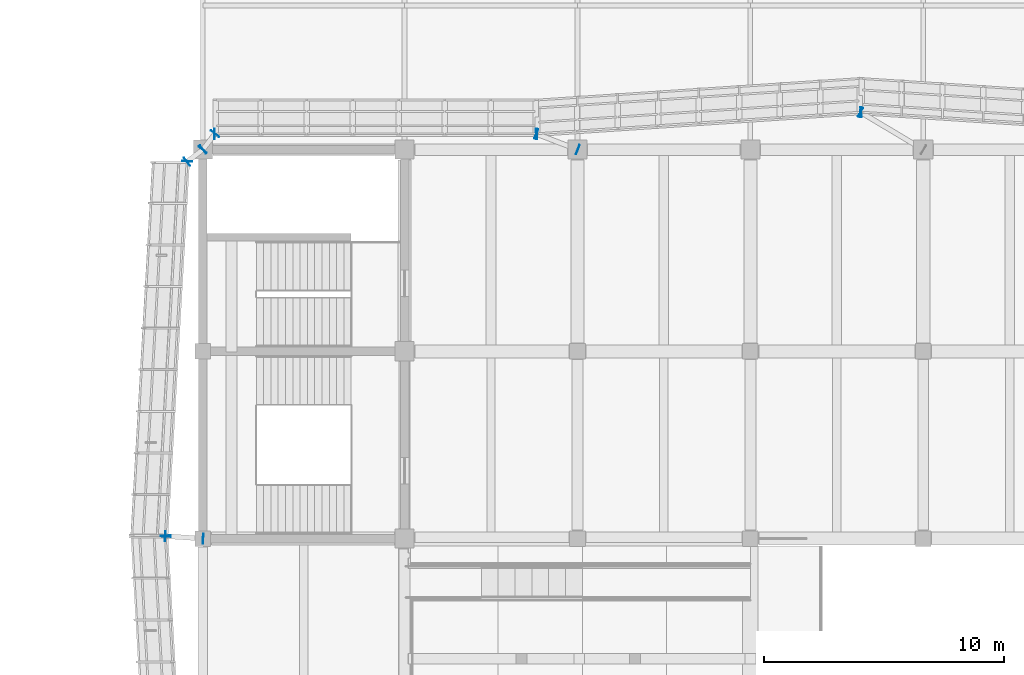
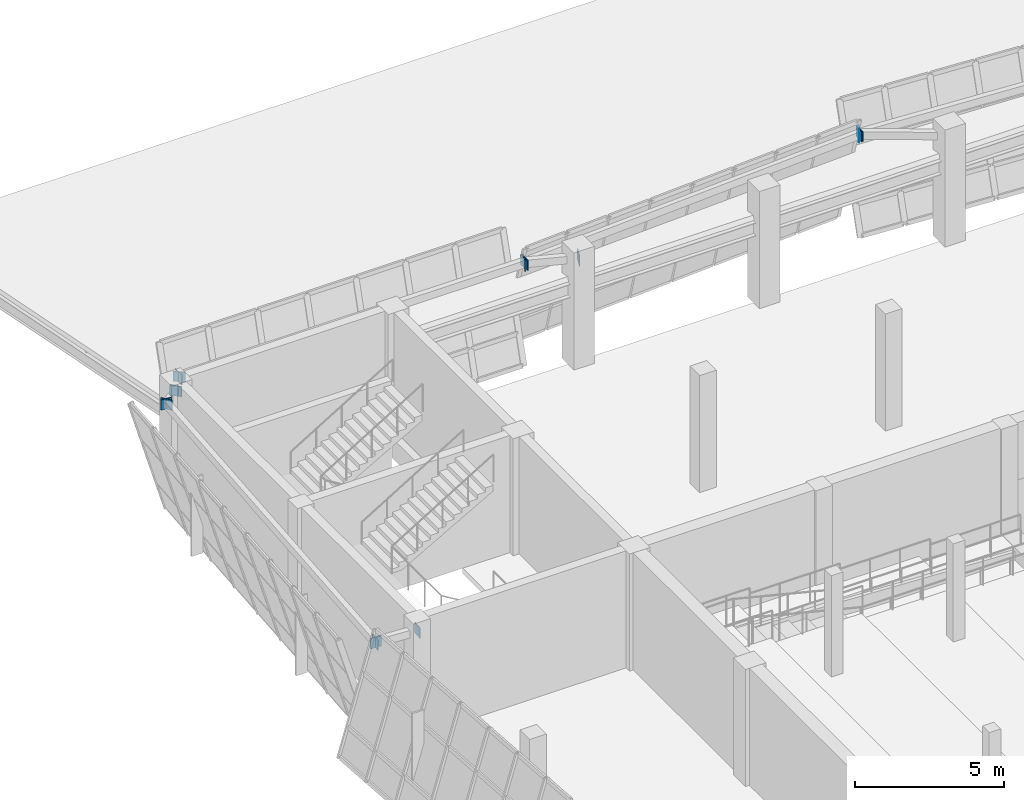
# One storey, part 62 of 79: 17 plates.
"""IFC4 building model written with IfcOpenShell, lengths in metres."""

import ifcopenshell
import ifcopenshell.guid

model = None  # the IFC model being written
_history = None  # IfcOwnerHistory: only IFC2X3 demands one
_inside = {}  # id of a spatial element -> (the spatial element, [elements in it])
_under = {}  # id of a project, library or spatial element -> (it, [spatial elements below it])
_declared = {}  # id of a project -> (the project, [libraries it declares])
_typed = {}  # id of a type object -> (the type object, [elements of that type])
_made_of = {}  # id of a material, layer set ... -> (it, [elements and type objects made of it])


def new_model(schema):
    """Start an empty IFC model of exactly this schema.

    Asked for "IFC4X3", IfcOpenShell would pick the latest addendum, in which some entities
    have other attributes; the version numbers below select the first issue.
    IFC2X3 requires an IfcOwnerHistory on every rooted entity: one is made here for all.
    """
    global model, _history
    if schema == "IFC4X3":
        model = ifcopenshell.file(schema_version=(4, 3, 0, 0))
    else:
        model = ifcopenshell.file(schema=schema)
    _inside.clear()
    _under.clear()
    _declared.clear()
    _typed.clear()
    _made_of.clear()
    _history = None
    if model.schema == "IFC2X3":
        org = make("IfcOrganization", Name="unknown")
        user = make(
            "IfcPersonAndOrganization",
            ThePerson=make("IfcPerson", FamilyName="unknown"),
            TheOrganization=org,
        )
        app = make(
            "IfcApplication",
            ApplicationDeveloper=org,
            Version="unknown",
            ApplicationFullName="unknown",
            ApplicationIdentifier="unknown",
        )
        _history = make(
            "IfcOwnerHistory",
            OwningUser=user,
            OwningApplication=app,
            ChangeAction="ADDED",
            CreationDate=0,
        )
    return model


def make(cls, **values):
    """One entity of the class cls with the attributes given. An attribute that is None is left unset."""
    return model.create_entity(
        cls, **{name: value for name, value in values.items() if value is not None}
    )


def rooted(cls, **values):
    """An entity with a GlobalId (a new one), such as an element, a storey or a relation."""
    return make(cls, GlobalId=ifcopenshell.guid.new(), OwnerHistory=_history, **values)


def si_unit(unit_type, name, prefix=None):
    """IfcSIUnit, for example si_unit("LENGTHUNIT", "METRE", prefix="MILLI")."""
    return make("IfcSIUnit", UnitType=unit_type, Prefix=prefix, Name=name)


def assignment(units):
    """IfcUnitAssignment: the units of a project."""
    return None if units is None else make("IfcUnitAssignment", Units=units)


def point(xyz):
    """IfcCartesianPoint."""
    return None if xyz is None else make("IfcCartesianPoint", Coordinates=xyz)


def direction(xyz):
    """IfcDirection."""
    return None if xyz is None else make("IfcDirection", DirectionRatios=xyz)


def frame(location, z_axis=None, x_axis=None):
    """IfcAxis2Placement3D, a coordinate frame: its origin and axes. An axis left out is left unset."""
    return make(
        "IfcAxis2Placement3D",
        Location=point(location),
        Axis=direction(z_axis),
        RefDirection=direction(x_axis),
    )


def frame_2d(location, x_axis=None):
    """IfcAxis2Placement2D, a coordinate frame in the plane: its origin and x axis."""
    return make(
        "IfcAxis2Placement2D", Location=point(location), RefDirection=direction(x_axis)
    )


def origin():
    """The frame at (0, 0, 0) with its axes left unset."""
    return frame((0.0, 0.0, 0.0))


def origin_2d():
    """The frame at (0, 0) in the plane with its x axis left unset."""
    return frame_2d((0.0, 0.0))


def place(relative_to, where):
    """IfcLocalPlacement: puts the frame where relative to a parent placement (None: the world)."""
    return make(
        "IfcLocalPlacement", PlacementRelTo=relative_to, RelativePlacement=where
    )


def context(
    kind, dimensions, precision=None, world=None, true_north=None, identifier=None
):
    """IfcGeometricRepresentationContext, for example the 3D "Model" context."""
    return make(
        "IfcGeometricRepresentationContext",
        ContextIdentifier=identifier,
        ContextType=kind,
        CoordinateSpaceDimension=dimensions,
        Precision=precision,
        WorldCoordinateSystem=world,
        TrueNorth=true_north,
    )


def subcontext(parent, identifier, kind, view, scale=None):
    """IfcGeometricRepresentationSubContext, for example "Body" below "Model"."""
    return make(
        "IfcGeometricRepresentationSubContext",
        ContextIdentifier=identifier,
        ContextType=kind,
        ParentContext=parent,
        TargetScale=scale,
        TargetView=view,
    )


def project(units=None, contexts=None):
    """IfcProject with its units and contexts."""
    return rooted(
        "IfcProject",
        Name="project",
        RepresentationContexts=contexts,
        UnitsInContext=assignment(units),
    )


def spatial(cls, under=None, at=None, **own):
    """A site, building, storey or space (cls), placed at a placement, below another one or the project."""
    s = rooted(cls, ObjectPlacement=at, **own)
    if under is not None:
        _under.setdefault(under.id(), (under, []))[1].append(s)
    return s


def profile(cls, at=None, kind="AREA", **sizes):
    """A parametric profile (cls). Its sizes go by their IFC names, for example OverallWidth=200.0."""
    return make(cls, ProfileType=kind, Position=at, **sizes)


def rectangle(**sizes):
    """IfcRectangleProfileDef."""
    return profile("IfcRectangleProfileDef", **sizes)


def extrude(swept, where, along, depth):
    """IfcExtrudedAreaSolid: the profile swept, set in the frame where, extruded along a direction by depth."""
    return make(
        "IfcExtrudedAreaSolid",
        SweptArea=swept,
        Position=where,
        ExtrudedDirection=direction(along),
        Depth=depth,
    )


def shape(context_of_items, identifier, shape_type, items):
    """IfcShapeRepresentation: the items that make up one representation, for example the "Body"."""
    return make(
        "IfcShapeRepresentation",
        ContextOfItems=context_of_items,
        RepresentationIdentifier=identifier,
        RepresentationType=shape_type,
        Items=items,
    )


def material(Name=None, Category=None):
    """IfcMaterial."""
    return make("IfcMaterial", Name=Name, Category=Category)


def layer(
    of_material, thickness, ventilated=None, Name=None, Category=None, Priority=None
):
    """IfcMaterialLayer: one layer of a wall or slab, of a material (None: an air gap)."""
    return make(
        "IfcMaterialLayer",
        Material=of_material,
        LayerThickness=thickness,
        IsVentilated=ventilated,
        Name=Name,
        Category=Category,
        Priority=Priority,
    )


def layer_set(layers, Name=None):
    """IfcMaterialLayerSet."""
    return make("IfcMaterialLayerSet", MaterialLayers=layers, LayerSetName=Name)


def made_of(thing, what):
    """Note that an element or type object is made of a material, layer set ...; save() writes the relation."""
    if what is not None:
        _made_of.setdefault(what.id(), (what, []))[1].append(thing)
    return thing


def type_object(cls, material=None, **own):
    """A type object (cls), such as IfcWallType, which elements share."""
    return made_of(rooted(cls, **own), material)


def element(
    cls,
    number,
    at=None,
    inside=None,
    cuts=None,
    type_object=None,
    material=None,
    context=None,
    identifier="Body",
    shape_type=None,
    held_by="IfcProductDefinitionShape",
    body=None,
    shapes=None,
    **own,
):
    """One element of the class cls, such as IfcWall. Its Tag is "e" and its number.

    at: its placement. inside: the storey or other place that contains it. cuts: it is an
    opening in that element (IfcRelVoidsElement). A single representation is given by context,
    identifier, shape_type and body (its items); several are given by shapes. held_by: the class
    of the entity that holds the representations. save() writes the other relations.
    """
    e = rooted(cls, Tag="e%d" % number, ObjectPlacement=at, **own)
    if body is not None:
        shapes = [shape(context, identifier, shape_type, body)]
    if shapes is not None:
        e.Representation = make(held_by, Representations=shapes)
    if inside is not None:
        _inside.setdefault(inside.id(), (inside, []))[1].append(e)
    if cuts is not None:
        rooted(
            "IfcRelVoidsElement", RelatingBuildingElement=cuts, RelatedOpeningElement=e
        )
    if type_object is not None:
        _typed.setdefault(type_object.id(), (type_object, []))[1].append(e)
    return made_of(e, material)


def aggregate(whole, parts):
    """IfcRelAggregates: a whole, such as a stair, and the parts it consists of."""
    return rooted("IfcRelAggregates", RelatingObject=whole, RelatedObjects=parts)


def save(model, path):
    """Write the relations noted so far, then the file.

    IfcRelAggregates (storeys below a building ...), IfcRelContainedInSpatialStructure (elements
    in a storey), IfcRelDefinesByType, IfcRelAssociatesMaterial and IfcRelDeclares: one each for
    every whole, place, type object, material and project.
    """
    for whole, parts in _under.values():
        aggregate(whole, parts)
    for where, things in _inside.values():
        rooted(
            "IfcRelContainedInSpatialStructure",
            RelatedElements=things,
            RelatingStructure=where,
        )
    for kind, things in _typed.values():
        rooted("IfcRelDefinesByType", RelatedObjects=things, RelatingType=kind)
    for what, things in _made_of.values():
        rooted("IfcRelAssociatesMaterial", RelatedObjects=things, RelatingMaterial=what)
    for by, libraries in _declared.values():
        rooted("IfcRelDeclares", RelatingContext=by, RelatedDefinitions=libraries)
    model.write(path)


model = new_model("IFC4")

# Units and contexts
model_context = context("Model", 3, precision=1e-05, world=origin(), true_north=direction((0.0, 1.0)))
body_context = subcontext(model_context, "Body", "Model", "MODEL_VIEW")
ifc_project = project(units=[si_unit("LENGTHUNIT", "METRE"), si_unit("AREAUNIT", "SQUARE_METRE"), si_unit("VOLUMEUNIT", "CUBIC_METRE"), si_unit("PLANEANGLEUNIT", "RADIAN"), si_unit("MASSUNIT", "GRAM", prefix="KILO")], contexts=[model_context])

# Site, building, storey
site_placement = place(None, origin())
site = spatial("IfcSite", under=ifc_project, at=site_placement, CompositionType="ELEMENT")
building_placement = place(site_placement, origin())
building = spatial("IfcBuilding", under=site, at=building_placement, Name="Pellamere Symphony Hall", CompositionType="ELEMENT")
storey_placement = place(building_placement, frame((0.0, 0.0, 10.199951171875)))
storey = spatial("IfcBuildingStorey", under=building, at=storey_placement, Name="L02", CompositionType="ELEMENT", Elevation=10.199951171875)

# Plates
ifc_material = material(Name="Steel CSA G40.21 350W", Category="steel")
ifc_layer = layer(ifc_material, 0.02490234375, Name="Steel CSA G40.21 350W")
ifc_layer_set = layer_set([ifc_layer], Name="Steel CSA G40.21 350W")
plate_type = type_object("IfcPlateType", Name="Steel Connection Plate KP-01 420x420x25", PredefinedType="SHEET", material=ifc_layer_set)
for number, where, z_axis, x_axis, name in (
    (1, (77.7880859375, 95.15087890625, 4.030029296875), (0.0, 0.0, 1.0), (-0.997813020072, 0.066099750182, 0.0), "Crystal Spandrel End Cap Plate CW-CR12-2 (L02)"),
    (2, (77.789794921875, 95.156005859375, 4.030029296875), (0.0, 0.0, 1.0), (-0.858959896931, 0.512042864871, 0.0), "Outrigger End Cap Plate 064.2 (L02)"),
    (3, (77.81201171875, 95.15087890625, 4.030029296875), (0.0, 0.0, 1.0), (-0.997789886117, -0.066448048599, 0.0), "Crystal Spandrel End Cap Plate CW-CR13-1 (L02)"),
    (4, (64.2880859375, 94.249267578125, 4.030029296875), (0.0, 0.0, 1.0), (-0.997789886117, -0.066448048599, 0.0), "Crystal Spandrel End Cap Plate CW-CR13-2 (L02)"),
    (5, (66.01123046875, 93.595703125, 4.030029296875), (0.0, 0.0, 1.0), (-0.934079892355, 0.357064076459, 0.0), "Outrigger End Cap Plate 070.1 (L02)"),
    (6, (64.288818359375, 94.25439453125, 4.030029296875), (0.0, 0.0, 1.0), (-0.934079892355, 0.357064076459, 0.0), "Outrigger End Cap Plate 070.2 (L02)"),
    (7, (64.31201171875, 94.25, 4.030029296875), (0.0, 0.0, 1.0), (-1.0, 0.0, 0.0), "Crystal Spandrel End Cap Plate CW-CR14-1 (L02)"),
    (8, (50.887939453125, 94.25, 4.030029296875), (0.0, 0.0, 1.0), (-1.0, 0.0, 0.0), "Crystal Spandrel End Cap Plate CW-CR14-2 (L02)"),
    (9, (50.392578125, 93.590576171875, 4.030029296875), (0.0, 0.0, 1.0), (0.609730238396, 0.792609005996, 0.0), "Outrigger End Cap Plate 076.1 (L02)"),
    (10, (50.9072265625, 94.259521484375, 4.030029296875), (0.0, 0.0, 1.0), (0.609730238396, 0.792609005996, 0.0), "Outrigger End Cap Plate 076.2 (L02)"),
    (11, (49.750732421875, 93.112060546875, 4.030029296875), (0.0, 0.0, 1.0), (-0.05756402696, -0.998341816614, 0.0), "Crystal Spandrel End Cap Plate CW-CR15-1 (L02)"),
    (12, (48.849365234375, 77.488037109375, 4.030029296875), (0.0, 0.0, 1.0), (-0.05756402696, -0.998341816614, 0.0), "Crystal Spandrel End Cap Plate CW-CR15-2 (L02)"),
    (13, (50.409423828125, 93.607421875, 4.030029296875), (0.0, 0.0, 1.0), (-0.792609005996, -0.609730238396, 0.0), "Outrigger End Cap Plate 088.1 (L02)"),
    (14, (49.740478515625, 93.0927734375, 4.030029296875), (0.0, 0.0, 1.0), (-0.792609005996, -0.609730238396, 0.0), "Outrigger End Cap Plate 088.2 (L02)"),
    (15, (50.412109375, 77.399169921875, 4.030029296875), (0.0, 0.0, 1.0), (-0.997926866086, 0.064358138139, 0.0), "Outrigger End Cap Plate 089.1 (L02)"),
    (16, (48.837890625, 77.500732421875, 4.030029296875), (0.0, 0.0, 1.0), (-0.997926866086, 0.064358138139, 0.0), "Outrigger End Cap Plate 089.2 (L02)"),
    (17, (48.849365234375, 77.511962890625, 4.030029296875), (0.0, 0.0, 1.0), (0.057215536424, -0.998361849427, 0.0), "Crystal Spandrel End Cap Plate CW-CR16-1 (L02)"),
):
    element("IfcPlate", number, at=place(storey_placement, frame(where, z_axis=z_axis, x_axis=x_axis)), inside=storey, type_object=plate_type, Name=name, PredefinedType="SHEET", context=body_context, shape_type="SweptSolid", body=[
        extrude(rectangle(XDim=0.02490234375, YDim=0.419921875, at=origin_2d()), origin(), (0.0, 0.0, 1.0), 0.419921875),
    ])

save(model, "model.ifc")
